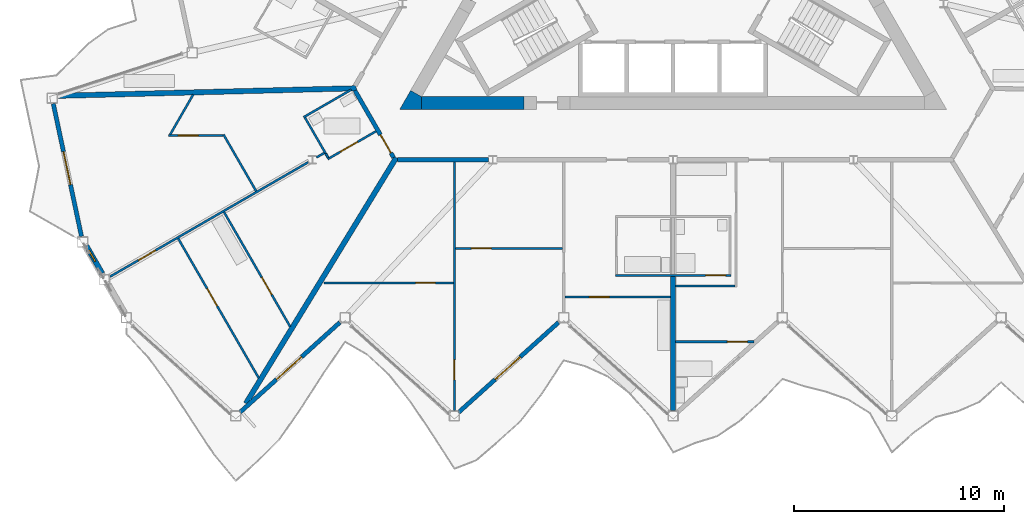
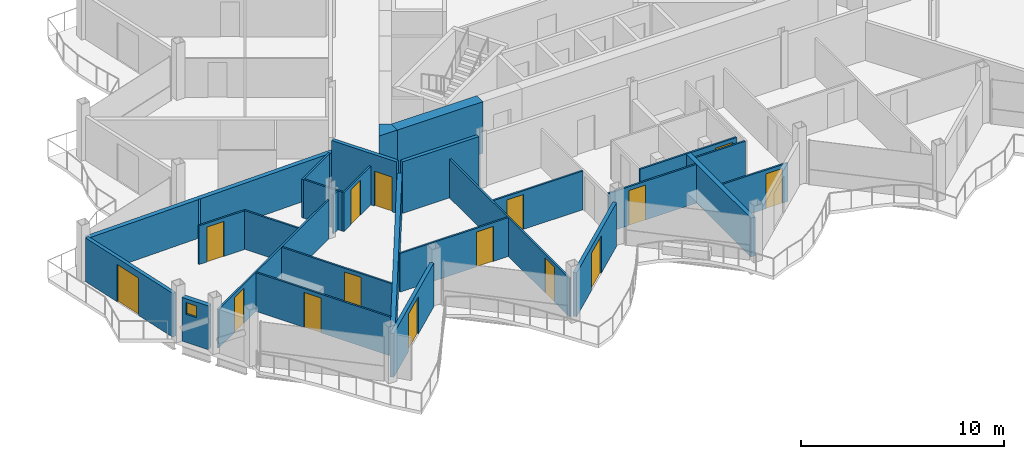
# One storey, part 12 of 26: 29 walls, 15 doors, 1 window, 16 openings.
"""IFC4 building model written with IfcOpenShell, lengths in metres."""

from ifc_helpers import new_model, si_unit, direction, frame, frame_2d, origin, place, context, subcontext, project, spatial, polyline, rectangle, outline, extrude, material, layer, layer_set, type_object, element, fill, save


model = new_model("IFC4")

# Units and contexts
model_context = context("Model", 3, precision=1e-05, world=origin(), true_north=direction((0.0, 1.0)))
body_context = subcontext(model_context, "Body", "Model", "MODEL_VIEW")
ifc_project = project(units=[si_unit("LENGTHUNIT", "METRE"), si_unit("AREAUNIT", "SQUARE_METRE"), si_unit("VOLUMEUNIT", "CUBIC_METRE"), si_unit("PLANEANGLEUNIT", "RADIAN"), si_unit("MASSUNIT", "GRAM", prefix="KILO")], contexts=[model_context])

# Site, building, storey
site_placement = place(None, origin())
site = spatial("IfcSite", under=ifc_project, at=site_placement, CompositionType="ELEMENT")
building_placement = place(site_placement, origin())
building = spatial("IfcBuilding", under=site, at=building_placement, Name="Cormorant Prow Tower", CompositionType="ELEMENT")
storey_placement = place(building_placement, frame((0.0, 0.0, 398.39990234375)))
storey = spatial("IfcBuildingStorey", under=building, at=storey_placement, Name="L91", CompositionType="ELEMENT", Elevation=398.39990234375)

# Walls
ifc_material_1 = material(Name="Concrete 8000 psi", Category="concrete")
ifc_layer_1 = layer(ifc_material_1, 0.60009765625)
ifc_layer_set_1 = layer_set([ifc_layer_1], Name="Concrete 8000 psi")
wall_type_1 = type_object("IfcWallType", Name="Core shear wall 600", PredefinedType="SHEAR", material=ifc_layer_set_1)
wall_1_placement = place(storey_placement, frame((-11.960693359375, -7.20556640625, 0.0), z_axis=(0.0, 0.0, 1.0), x_axis=(1.0, 0.0, 0.0)))
element("IfcWall", 1, at=wall_1_placement, inside=storey, type_object=wall_type_1, Name="Core wall", PredefinedType="SHEAR", context=body_context, shape_type="SweptSolid", body=[
    extrude(rectangle(XDim=4.868408203125, YDim=0.60009765625, at=frame_2d((2.43408203125, 0.0))), origin(), (0.0, 0.0, 1.0), 3.10009765625),
])
wall_2_placement = place(storey_placement, origin())
element("IfcWall", 2, at=wall_2_placement, inside=storey, type_object=wall_type_1, Name="Core wall corner", PredefinedType="SHEAR", context=body_context, shape_type="SweptSolid", body=[
    extrude(outline(polyline([(-12.48046875, -6.605712890625), (-11.960693359375, -6.905517578125), (-11.960693359375, -7.505615234375), (-13.0, -7.505615234375), (-12.48046875, -6.605712890625)])), origin(), (0.0, 0.0, 1.0), 3.10009765625),
])
ifc_material_2 = material(Name="Gypsum board corridor wall")
ifc_layer_2 = layer(ifc_material_2, 0.199951171875)
ifc_layer_set_2 = layer_set([ifc_layer_2], Name="Gypsum board corridor wall")
wall_type_2 = type_object("IfcWallType", Name="Corridor wall 200", PredefinedType="PARTITIONING", material=ifc_layer_set_2)
wall_3_placement = place(storey_placement, frame((-13.10595703125, -9.905517578125, 0.0), z_axis=(0.0, 0.0, 1.0), x_axis=(1.0, 0.0, 0.0)))
element("IfcWall", 3, at=wall_3_placement, inside=storey, type_object=wall_type_2, Name="Corridor wall", PredefinedType="PARTITIONING", context=body_context, shape_type="SweptSolid", body=[
    extrude(rectangle(XDim=4.33056640625, YDim=0.199951171875, at=frame_2d((2.165283203125, 0.0))), origin(), (0.0, 0.0, 1.0), 3.10009765625),
])

# Wall, opening, door
wall_4_placement = place(storey_placement, frame((-15.13134765625, -6.61376953125, 0.0), z_axis=(0.0, 0.0, 1.0), x_axis=(0.499967746641, -0.866044024469, 0.0)))
wall_4 = element("IfcWall", 4, at=wall_4_placement, inside=storey, type_object=wall_type_2, Name="Corridor wall", PredefinedType="PARTITIONING", context=body_context, shape_type="SweptSolid", body=[
    extrude(rectangle(XDim=3.676025390625, YDim=0.199951171875, at=frame_2d((1.837890625, 0.0))), origin(), (0.0, 0.0, 1.0), 3.10009765625),
])
opening_1_placement = place(wall_4_placement, frame((2.426025390625, 0.0, 0.0)))
opening_1 = element("IfcOpeningElement", 5, at=opening_1_placement, cuts=wall_4, Name="Opening L91-F54", PredefinedType="OPENING", context=body_context, shape_type="SweptSolid", body=[
    extrude(rectangle(XDim=1.0, YDim=2.10009765625, at=frame_2d((0.5, 1.050048828125))), frame((0.0, 0.10986328125, 0.0), z_axis=(0.0, -1.0, 0.0), x_axis=(1.0, 0.0, 0.0)), (0.0, 0.0, 1.0), 0.219970703125),
])
ifc_material_3 = material(Name="Timber door leaf", Category="wood")
door_type_1 = type_object("IfcDoorType", Name="Flat or room entrance door 1000x2100", OperationType="NOTDEFINED", PredefinedType="DOOR", material=ifc_material_3)
door_1_placement = place(opening_1_placement, origin())
door_1 = element("IfcDoor", 6, at=door_1_placement, inside=storey, type_object=door_type_1, Name="Living room door", OperationType="SINGLE_SWING_RIGHT", OverallHeight=2.10009765625, OverallWidth=1.0, PredefinedType="DOOR", context=body_context, shape_type="SweptSolid", body=[
    extrude(rectangle(XDim=1.0, YDim=2.10009765625, at=frame_2d((0.5, 1.050048828125))), frame((0.0, 0.02490234375, 0.0), z_axis=(0.0, -1.0, 0.0), x_axis=(1.0, 0.0, 0.0)), (0.0, 0.0, 1.0), 0.050048828125),
])
fill(opening_1, door_1)

ifc_material_4 = material(Name="Gypsum board partition")
ifc_layer_3 = layer(ifc_material_4, 0.10009765625)
ifc_layer_set_3 = layer_set([ifc_layer_3], Name="Gypsum board partition")
wall_type_3 = type_object("IfcWallType", Name="Internal partition 100", PredefinedType="PARTITIONING", material=ifc_layer_set_3)
wall_5_placement = place(storey_placement, frame((-10.39990234375, -21.827880859375, 0.0), z_axis=(0.0, 0.0, 1.0), x_axis=(0.0, 1.0, 0.0)))
wall_5 = element("IfcWall", 7, at=wall_5_placement, inside=storey, type_object=wall_type_3, Name="Internal partition", PredefinedType="PARTITIONING", context=body_context, shape_type="SweptSolid", body=[
    extrude(rectangle(XDim=11.822265625, YDim=0.10009765625, at=frame_2d((5.9111328125, 0.0))), origin(), (0.0, 0.0, 1.0), 2.330078125),
])
opening_2_placement = place(wall_5_placement, frame((1.45849609375, 0.0, 0.0)))
opening_2 = element("IfcOpeningElement", 8, at=opening_2_placement, cuts=wall_5, Name="Opening L91-F06", PredefinedType="OPENING", context=body_context, shape_type="SweptSolid", body=[
    extrude(rectangle(XDim=0.949951171875, YDim=2.10009765625, at=frame_2d((0.47509765625, 1.050048828125))), frame((0.0, 0.06005859375, 0.0), z_axis=(0.0, -1.0, 0.0), x_axis=(1.0, 0.0, 0.0)), (0.0, 0.0, 1.0), 0.1201171875),
])
ifc_material_5 = material(Name="Timber door leaf", Category="wood")
door_type_2 = type_object("IfcDoorType", Name="Bathroom door 950x2100", OperationType="NOTDEFINED", PredefinedType="DOOR", material=ifc_material_5)
door_2_placement = place(opening_2_placement, origin())
door_2 = element("IfcDoor", 9, at=door_2_placement, inside=storey, type_object=door_type_2, Name="Bedroom door", OperationType="SINGLE_SWING_RIGHT", OverallHeight=2.10009765625, OverallWidth=0.949951171875, PredefinedType="DOOR", context=body_context, shape_type="SweptSolid", body=[
    extrude(rectangle(XDim=0.949951171875, YDim=2.10009765625, at=frame_2d((0.47509765625, 1.050048828125))), frame((0.0, 0.02490234375, 0.0), z_axis=(0.0, -1.0, 0.0), x_axis=(1.0, 0.0, 0.0)), (0.0, 0.0, 1.0), 0.050048828125),
])
fill(opening_2, door_2)

wall_6_placement = place(storey_placement, frame((-26.77685546875, -15.459716796875, 0.0), z_axis=(0.0, 0.0, 1.0), x_axis=(0.866019680922, 0.500009912158, 0.0)))
wall_6 = element("IfcWall", 10, at=wall_6_placement, inside=storey, type_object=wall_type_3, Name="Internal partition", PredefinedType="PARTITIONING", context=body_context, shape_type="SweptSolid", body=[
    extrude(rectangle(XDim=10.880615234375, YDim=0.10009765625, at=frame_2d((5.4404296875, 0.0))), origin(), (0.0, 0.0, 1.0), 2.330078125),
])
opening_3_placement = place(wall_6_placement, frame((1.55419921875, 0.0, 0.0)))
opening_3 = element("IfcOpeningElement", 11, at=opening_3_placement, cuts=wall_6, Name="Opening L91-F58", PredefinedType="OPENING", context=body_context, shape_type="SweptSolid", body=[
    extrude(rectangle(XDim=0.949951171875, YDim=2.10009765625, at=frame_2d((0.47509765625, 1.050048828125))), frame((0.0, 0.06005859375, 0.0), z_axis=(0.0, -1.0, 0.0), x_axis=(1.0, 0.0, 0.0)), (0.0, 0.0, 1.0), 0.1201171875),
])
door_3_placement = place(opening_3_placement, origin())
door_3 = element("IfcDoor", 12, at=door_3_placement, inside=storey, type_object=door_type_2, Name="Dining room door", OperationType="SINGLE_SWING_RIGHT", OverallHeight=2.10009765625, OverallWidth=0.949951171875, PredefinedType="DOOR", context=body_context, shape_type="SweptSolid", body=[
    extrude(rectangle(XDim=0.949951171875, YDim=2.10009765625, at=frame_2d((0.47509765625, 1.050048828125))), frame((0.0, 0.02490234375, 0.0), z_axis=(0.0, -1.0, 0.0), x_axis=(1.0, 0.0, 0.0)), (0.0, 0.0, 1.0), 0.050048828125),
])
fill(opening_3, door_3)

wall_7_placement = place(storey_placement, frame((-23.5380859375, -13.6474609375, 0.0), z_axis=(0.0, 0.0, 1.0), x_axis=(0.499977115003, -0.86603861604, 0.0)))
wall_7 = element("IfcWall", 13, at=wall_7_placement, inside=storey, type_object=wall_type_3, Name="Internal partition", PredefinedType="PARTITIONING", context=body_context, shape_type="SweptSolid", body=[
    extrude(rectangle(XDim=7.662353515625, YDim=0.10009765625, at=frame_2d((3.8310546875, 0.0))), origin(), (0.0, 0.0, 1.0), 2.330078125),
])
opening_4_placement = place(wall_7_placement, frame((2.755126953125, 0.0, 0.0)))
opening_4 = element("IfcOpeningElement", 14, at=opening_4_placement, cuts=wall_7, Name="Opening L91-F57", PredefinedType="OPENING", context=body_context, shape_type="SweptSolid", body=[
    extrude(rectangle(XDim=0.949951171875, YDim=2.10009765625, at=frame_2d((0.47509765625, 1.050048828125))), frame((0.0, 0.06005859375, 0.0), z_axis=(0.0, -1.0, 0.0), x_axis=(1.0, 0.0, 0.0)), (0.0, 0.0, 1.0), 0.1201171875),
])
door_4_placement = place(opening_4_placement, origin())
door_4 = element("IfcDoor", 15, at=door_4_placement, inside=storey, type_object=door_type_2, Name="Kitchen door", OperationType="SINGLE_SWING_LEFT", OverallHeight=2.10009765625, OverallWidth=0.949951171875, PredefinedType="DOOR", context=body_context, shape_type="SweptSolid", body=[
    extrude(rectangle(XDim=0.949951171875, YDim=2.10009765625, at=frame_2d((0.47509765625, 1.050048828125))), frame((0.0, 0.02490234375, 0.0), z_axis=(0.0, -1.0, 0.0), x_axis=(1.0, 0.0, 0.0)), (0.0, 0.0, 1.0), 0.050048828125),
])
fill(opening_4, door_4)

wall_8_placement = place(storey_placement, frame((-21.35888671875, -12.389404296875, 0.0), z_axis=(0.0, 0.0, 1.0), x_axis=(0.500006767202, -0.866021496703, 0.0)))
wall_8 = element("IfcWall", 16, at=wall_8_placement, inside=storey, type_object=wall_type_3, Name="Internal partition", PredefinedType="PARTITIONING", context=body_context, shape_type="SweptSolid", body=[
    extrude(rectangle(XDim=6.29345703125, YDim=0.10009765625, at=frame_2d((3.146728515625, 0.0))), origin(), (0.0, 0.0, 1.0), 2.330078125),
])
opening_5_placement = place(wall_8_placement, frame((3.579833984375, 0.0, 0.0)))
opening_5 = element("IfcOpeningElement", 17, at=opening_5_placement, cuts=wall_8, Name="Opening L91-F56", PredefinedType="OPENING", context=body_context, shape_type="SweptSolid", body=[
    extrude(rectangle(XDim=0.949951171875, YDim=2.10009765625, at=frame_2d((0.47509765625, 1.050048828125))), frame((0.0, 0.06005859375, 0.0), z_axis=(0.0, -1.0, 0.0), x_axis=(1.0, 0.0, 0.0)), (0.0, 0.0, 1.0), 0.1201171875),
])
door_5_placement = place(opening_5_placement, origin())
door_5 = element("IfcDoor", 18, at=door_5_placement, inside=storey, type_object=door_type_2, Name="Living room door", OperationType="SINGLE_SWING_LEFT", OverallHeight=2.10009765625, OverallWidth=0.949951171875, PredefinedType="DOOR", context=body_context, shape_type="SweptSolid", body=[
    extrude(rectangle(XDim=0.949951171875, YDim=2.10009765625, at=frame_2d((0.47509765625, 1.050048828125))), frame((0.0, 0.02490234375, 0.0), z_axis=(0.0, -1.0, 0.0), x_axis=(1.0, 0.0, 0.0)), (0.0, 0.0, 1.0), 0.050048828125),
])
fill(opening_5, door_5)

wall_9_placement = place(storey_placement, frame((-16.60791015625, -15.7548828125, 0.0), z_axis=(0.0, 0.0, 1.0), x_axis=(1.0, 0.0, 0.0)))
wall_9 = element("IfcWall", 19, at=wall_9_placement, inside=storey, type_object=wall_type_3, Name="Internal partition", PredefinedType="PARTITIONING", context=body_context, shape_type="SweptSolid", body=[
    extrude(rectangle(XDim=6.157958984375, YDim=0.10009765625, at=frame_2d((3.0791015625, 0.0))), origin(), (0.0, 0.0, 1.0), 2.330078125),
])
opening_6_placement = place(wall_9_placement, frame((4.35693359375, 0.0, 0.0)))
opening_6 = element("IfcOpeningElement", 20, at=opening_6_placement, cuts=wall_9, Name="Opening L91-F07", PredefinedType="OPENING", context=body_context, shape_type="SweptSolid", body=[
    extrude(rectangle(XDim=0.949951171875, YDim=2.10009765625, at=frame_2d((0.47509765625, 1.050048828125))), frame((0.0, 0.06005859375, 0.0), z_axis=(0.0, -1.0, 0.0), x_axis=(1.0, 0.0, 0.0)), (0.0, 0.0, 1.0), 0.1201171875),
])
door_6_placement = place(opening_6_placement, origin())
door_6 = element("IfcDoor", 21, at=door_6_placement, inside=storey, type_object=door_type_2, Name="Bedroom door", OperationType="SINGLE_SWING_RIGHT", OverallHeight=2.10009765625, OverallWidth=0.949951171875, PredefinedType="DOOR", context=body_context, shape_type="SweptSolid", body=[
    extrude(rectangle(XDim=0.949951171875, YDim=2.10009765625, at=frame_2d((0.47509765625, 1.050048828125))), frame((0.0, 0.02490234375, 0.0), z_axis=(0.0, -1.0, 0.0), x_axis=(1.0, 0.0, 0.0)), (0.0, 0.0, 1.0), 0.050048828125),
])
fill(opening_6, door_6)

wall_10_placement = place(storey_placement, frame((-2.75, -15.405517578125, 0.0), z_axis=(0.0, 0.0, 1.0), x_axis=(1.0, 0.0, 0.0)))
wall_10 = element("IfcWall", 22, at=wall_10_placement, inside=storey, type_object=wall_type_3, Name="Internal partition", PredefinedType="PARTITIONING", context=body_context, shape_type="SweptSolid", body=[
    extrude(rectangle(XDim=5.5, YDim=0.10009765625, at=frame_2d((2.75, 0.0))), origin(), (0.0, 0.0, 1.0), 2.330078125),
])
opening_7_placement = place(wall_10_placement, frame((4.300048828125, 0.0, 0.0)))
opening_7 = element("IfcOpeningElement", 23, at=opening_7_placement, cuts=wall_10, Name="Opening L91-F15", PredefinedType="OPENING", context=body_context, shape_type="SweptSolid", body=[
    extrude(rectangle(XDim=0.949951171875, YDim=2.10009765625, at=frame_2d((0.47509765625, 1.050048828125))), frame((0.0, 0.06005859375, 0.0), z_axis=(0.0, -1.0, 0.0), x_axis=(1.0, 0.0, 0.0)), (0.0, 0.0, 1.0), 0.1201171875),
])
door_7_placement = place(opening_7_placement, origin())
door_7 = element("IfcDoor", 24, at=door_7_placement, inside=storey, type_object=door_type_2, Name="Kitchen door", OperationType="SINGLE_SWING_RIGHT", OverallHeight=2.10009765625, OverallWidth=0.949951171875, PredefinedType="DOOR", context=body_context, shape_type="SweptSolid", body=[
    extrude(rectangle(XDim=0.949951171875, YDim=2.10009765625, at=frame_2d((0.47509765625, 1.050048828125))), frame((0.0, 0.02490234375, 0.0), z_axis=(0.0, -1.0, 0.0), x_axis=(1.0, 0.0, 0.0)), (0.0, 0.0, 1.0), 0.050048828125),
])
fill(opening_7, door_7)

wall_11_placement = place(storey_placement, frame((-5.14990234375, -16.428466796875, 0.0), z_axis=(0.0, 0.0, 1.0), x_axis=(1.0, 0.0, 0.0)))
wall_11 = element("IfcWall", 25, at=wall_11_placement, inside=storey, type_object=wall_type_3, Name="Internal partition", PredefinedType="PARTITIONING", context=body_context, shape_type="SweptSolid", body=[
    extrude(rectangle(XDim=5.02490234375, YDim=0.10009765625, at=frame_2d((2.512451171875, 0.0))), origin(), (0.0, 0.0, 1.0), 2.330078125),
])
opening_8_placement = place(wall_11_placement, frame((1.169189453125, 0.0, 0.0)))
opening_8 = element("IfcOpeningElement", 26, at=opening_8_placement, cuts=wall_11, Name="Opening L91-F03", PredefinedType="OPENING", context=body_context, shape_type="SweptSolid", body=[
    extrude(rectangle(XDim=0.949951171875, YDim=2.10009765625, at=frame_2d((0.47509765625, 1.050048828125))), frame((0.0, 0.06005859375, 0.0), z_axis=(0.0, -1.0, 0.0), x_axis=(1.0, 0.0, 0.0)), (0.0, 0.0, 1.0), 0.1201171875),
])
door_8_placement = place(opening_8_placement, origin())
door_8 = element("IfcDoor", 27, at=door_8_placement, inside=storey, type_object=door_type_2, Name="Living room door", OperationType="SINGLE_SWING_RIGHT", OverallHeight=2.10009765625, OverallWidth=0.949951171875, PredefinedType="DOOR", context=body_context, shape_type="SweptSolid", body=[
    extrude(rectangle(XDim=0.949951171875, YDim=2.10009765625, at=frame_2d((0.47509765625, 1.050048828125))), frame((0.0, 0.02490234375, 0.0), z_axis=(0.0, -1.0, 0.0), x_axis=(1.0, 0.0, 0.0)), (0.0, 0.0, 1.0), 0.050048828125),
])
fill(opening_8, door_8)

wall_12_placement = place(storey_placement, frame((-10.35009765625, -14.12060546875, 0.0), z_axis=(0.0, 0.0, 1.0), x_axis=(1.0, 0.0, 0.0)))
wall_12 = element("IfcWall", 28, at=wall_12_placement, inside=storey, type_object=wall_type_3, Name="Internal partition", PredefinedType="PARTITIONING", context=body_context, shape_type="SweptSolid", body=[
    extrude(rectangle(XDim=5.10009765625, YDim=0.10009765625, at=frame_2d((2.550048828125, 0.0))), origin(), (0.0, 0.0, 1.0), 2.330078125),
])
opening_9_placement = place(wall_12_placement, frame((0.7568359375, 0.0, 0.0)))
opening_9 = element("IfcOpeningElement", 29, at=opening_9_placement, cuts=wall_12, Name="Opening L91-F05", PredefinedType="OPENING", context=body_context, shape_type="SweptSolid", body=[
    extrude(rectangle(XDim=0.949951171875, YDim=2.10009765625, at=frame_2d((0.47509765625, 1.050048828125))), frame((0.0, 0.06005859375, 0.0), z_axis=(0.0, -1.0, 0.0), x_axis=(1.0, 0.0, 0.0)), (0.0, 0.0, 1.0), 0.1201171875),
])
door_9_placement = place(opening_9_placement, origin())
door_9 = element("IfcDoor", 30, at=door_9_placement, inside=storey, type_object=door_type_2, Name="Bedroom door", OperationType="SINGLE_SWING_LEFT", OverallHeight=2.10009765625, OverallWidth=0.949951171875, PredefinedType="DOOR", context=body_context, shape_type="SweptSolid", body=[
    extrude(rectangle(XDim=0.949951171875, YDim=2.10009765625, at=frame_2d((0.47509765625, 1.050048828125))), frame((0.0, 0.02490234375, 0.0), z_axis=(0.0, -1.0, 0.0), x_axis=(1.0, 0.0, 0.0)), (0.0, 0.0, 1.0), 0.050048828125),
])
fill(opening_9, door_9)

wall_13_placement = place(storey_placement, frame((0.125, -18.555908203125, 0.0), z_axis=(0.0, 0.0, 1.0), x_axis=(1.0, 0.0, 0.0)))
wall_13 = element("IfcWall", 31, at=wall_13_placement, inside=storey, type_object=wall_type_3, Name="Internal partition", PredefinedType="PARTITIONING", context=body_context, shape_type="SweptSolid", body=[
    extrude(rectangle(XDim=3.7265625, YDim=0.10009765625, at=frame_2d((1.86328125, 0.0))), origin(), (0.0, 0.0, 1.0), 2.330078125),
])
opening_10_placement = place(wall_13_placement, frame((2.455810546875, 0.0, 0.0)))
opening_10 = element("IfcOpeningElement", 32, at=opening_10_placement, cuts=wall_13, Name="Opening L91-F09", PredefinedType="OPENING", context=body_context, shape_type="SweptSolid", body=[
    extrude(rectangle(XDim=0.949951171875, YDim=2.10009765625, at=frame_2d((0.47509765625, 1.050048828125))), frame((0.0, 0.06005859375, 0.0), z_axis=(0.0, -1.0, 0.0), x_axis=(1.0, 0.0, 0.0)), (0.0, 0.0, 1.0), 0.1201171875),
])
door_10_placement = place(opening_10_placement, origin())
door_10 = element("IfcDoor", 33, at=door_10_placement, inside=storey, type_object=door_type_2, Name="Living room door", OperationType="SINGLE_SWING_RIGHT", OverallHeight=2.10009765625, OverallWidth=0.949951171875, PredefinedType="DOOR", context=body_context, shape_type="SweptSolid", body=[
    extrude(rectangle(XDim=0.949951171875, YDim=2.10009765625, at=frame_2d((0.47509765625, 1.050048828125))), frame((0.0, 0.02490234375, 0.0), z_axis=(0.0, -1.0, 0.0), x_axis=(1.0, 0.0, 0.0)), (0.0, 0.0, 1.0), 0.050048828125),
])
fill(opening_10, door_10)

# Walls
wall_14_placement = place(storey_placement, frame((-21.382080078125, -8.704833984375, 0.0), z_axis=(0.0, 0.0, 1.0), x_axis=(0.50001536203, -0.866016534331, 0.0)))
element("IfcWall", 34, at=wall_14_placement, inside=storey, type_object=wall_type_3, Name="Internal partition", PredefinedType="PARTITIONING", context=body_context, shape_type="SweptSolid", body=[
    extrude(rectangle(XDim=3.1025390625, YDim=0.10009765625, at=frame_2d((1.55126953125, 0.0))), origin(), (0.0, 0.0, 1.0), 2.330078125),
])
wall_15_placement = place(storey_placement, frame((0.125, -15.905517578125, 0.0), z_axis=(0.0, 0.0, 1.0), x_axis=(1.0, 0.0, 0.0)))
element("IfcWall", 35, at=wall_15_placement, inside=storey, type_object=wall_type_3, Name="Internal partition", PredefinedType="PARTITIONING", context=body_context, shape_type="SweptSolid", body=[
    extrude(rectangle(XDim=2.824951171875, YDim=0.10009765625, at=frame_2d((1.41259765625, 0.0))), origin(), (0.0, 0.0, 1.0), 2.330078125),
])
wall_16_placement = place(storey_placement, frame((-17.575439453125, -7.880615234375, 0.0), z_axis=(0.0, 0.0, 1.0), x_axis=(0.866013657776, 0.500020344131, 0.0)))
element("IfcWall", 36, at=wall_16_placement, inside=storey, type_object=wall_type_3, Name="Internal partition", PredefinedType="PARTITIONING", context=body_context, shape_type="SweptSolid", body=[
    extrude(rectangle(XDim=2.625, YDim=0.10009765625, at=frame_2d((1.3125, 0.0))), origin(), (0.0, 0.0, 1.0), 2.330078125),
])

# Wall, opening, door
wall_17_placement = place(storey_placement, frame((-16.4248046875, -9.8720703125, 0.0), z_axis=(0.0, 0.0, 1.0), x_axis=(0.865999882481, 0.50004420159, 0.0)))
wall_17 = element("IfcWall", 37, at=wall_17_placement, inside=storey, type_object=wall_type_3, Name="Internal partition", PredefinedType="PARTITIONING", context=body_context, shape_type="SweptSolid", body=[
    extrude(rectangle(XDim=2.649169921875, YDim=0.10009765625, at=frame_2d((1.32470703125, 0.0))), origin(), (0.0, 0.0, 1.0), 2.330078125),
])
opening_11_placement = place(wall_17_placement, frame((0.68603515625, 0.0, 0.0)))
opening_11 = element("IfcOpeningElement", 38, at=opening_11_placement, cuts=wall_17, Name="Opening L91-F55", PredefinedType="OPENING", context=body_context, shape_type="SweptSolid", body=[
    extrude(rectangle(XDim=0.949951171875, YDim=2.10009765625, at=frame_2d((0.47509765625, 1.050048828125))), frame((0.0, 0.06005859375, 0.0), z_axis=(0.0, -1.0, 0.0), x_axis=(1.0, 0.0, 0.0)), (0.0, 0.0, 1.0), 0.1201171875),
])
door_11_placement = place(opening_11_placement, origin())
door_11 = element("IfcDoor", 39, at=door_11_placement, inside=storey, type_object=door_type_2, Name="Living room door", OperationType="SINGLE_SWING_LEFT", OverallHeight=2.10009765625, OverallWidth=0.949951171875, PredefinedType="DOOR", context=body_context, shape_type="SweptSolid", body=[
    extrude(rectangle(XDim=0.949951171875, YDim=2.10009765625, at=frame_2d((0.47509765625, 1.050048828125))), frame((0.0, 0.02490234375, 0.0), z_axis=(0.0, -1.0, 0.0), x_axis=(1.0, 0.0, 0.0)), (0.0, 0.0, 1.0), 0.050048828125),
])
fill(opening_11, door_11)

wall_18_placement = place(storey_placement, frame((-23.99658203125, -8.748046875, 0.0), z_axis=(0.0, 0.0, 1.0), x_axis=(1.0, 0.0, 0.0)))
wall_18 = element("IfcWall", 40, at=wall_18_placement, inside=storey, type_object=wall_type_3, Name="Internal partition", PredefinedType="PARTITIONING", context=body_context, shape_type="SweptSolid", body=[
    extrude(rectangle(XDim=2.589599609375, YDim=0.10009765625, at=frame_2d((1.294921875, 0.0))), origin(), (0.0, 0.0, 1.0), 2.330078125),
])
opening_12_placement = place(wall_18_placement, frame((0.457275390625, 0.0, 0.0)))
opening_12 = element("IfcOpeningElement", 41, at=opening_12_placement, cuts=wall_18, Name="Opening L91-F59", PredefinedType="OPENING", context=body_context, shape_type="SweptSolid", body=[
    extrude(rectangle(XDim=0.949951171875, YDim=2.10009765625, at=frame_2d((0.47509765625, 1.050048828125))), frame((0.0, 0.06005859375, 0.0), z_axis=(0.0, -1.0, 0.0), x_axis=(1.0, 0.0, 0.0)), (0.0, 0.0, 1.0), 0.1201171875),
])
door_12_placement = place(opening_12_placement, origin())
door_12 = element("IfcDoor", 42, at=door_12_placement, inside=storey, type_object=door_type_2, Name="Principal bedroom door", OperationType="SINGLE_SWING_LEFT", OverallHeight=2.10009765625, OverallWidth=0.949951171875, PredefinedType="DOOR", context=body_context, shape_type="SweptSolid", body=[
    extrude(rectangle(XDim=0.949951171875, YDim=2.10009765625, at=frame_2d((0.47509765625, 1.050048828125))), frame((0.0, 0.02490234375, 0.0), z_axis=(0.0, -1.0, 0.0), x_axis=(1.0, 0.0, 0.0)), (0.0, 0.0, 1.0), 0.050048828125),
])
fill(opening_12, door_12)

# Walls
wall_19_placement = place(storey_placement, frame((-23.921630859375, -8.704833984375, 0.0), z_axis=(0.0, 0.0, 1.0), x_axis=(0.50001794124, 0.866015045157, 0.0)))
element("IfcWall", 43, at=wall_19_placement, inside=storey, type_object=wall_type_3, Name="Internal partition", PredefinedType="PARTITIONING", context=body_context, shape_type="SweptSolid", body=[
    extrude(rectangle(XDim=2.193359375, YDim=0.10009765625, at=frame_2d((1.0966796875, 0.0))), origin(), (0.0, 0.0, 1.0), 2.330078125),
])
wall_20_placement = place(storey_placement, frame((-17.507080078125, -7.89892578125, 0.0), z_axis=(0.0, 0.0, 1.0), x_axis=(0.499972416139, -0.866041328748, 0.0)))
element("IfcWall", 44, at=wall_20_placement, inside=storey, type_object=wall_type_3, Name="Internal partition", PredefinedType="PARTITIONING", context=body_context, shape_type="SweptSolid", body=[
    extrude(rectangle(XDim=1.97265625, YDim=0.10009765625, at=frame_2d((0.986328125, 0.0))), origin(), (0.0, 0.0, 1.0), 2.330078125),
])
wall_21_placement = place(storey_placement, frame((-16.9599609375, -9.791748046875, 0.0), z_axis=(0.0, 0.0, 1.0), x_axis=(0.866137484628, 0.499805820016, 0.0)))
element("IfcWall", 45, at=wall_21_placement, inside=storey, type_object=wall_type_3, Name="Internal partition", PredefinedType="PARTITIONING", context=body_context, shape_type="SweptSolid", body=[
    extrude(rectangle(XDim=0.422607421875, YDim=0.10009765625, at=frame_2d((0.21142578125, 0.0))), origin(), (0.0, 0.0, 1.0), 2.330078125),
])
wall_22_placement = place(storey_placement, frame((-16.519287109375, -9.609619140625, 0.0), z_axis=(0.0, 0.0, 1.0), x_axis=(0.50245032488, -0.864606078528, 0.0)))
element("IfcWall", 46, at=wall_22_placement, inside=storey, type_object=wall_type_3, Name="Internal partition", PredefinedType="PARTITIONING", context=body_context, shape_type="SweptSolid", body=[
    extrude(rectangle(XDim=0.224365234375, YDim=0.10009765625, at=frame_2d((0.1123046875, 0.0))), origin(), (0.0, 0.0, 1.0), 2.330078125),
])
ifc_material_6 = material(Name="Acoustic gypsum party wall")
ifc_layer_4 = layer(ifc_material_6, 0.25)
ifc_layer_set_4 = layer_set([ifc_layer_4], Name="Acoustic gypsum party wall")
wall_type_4 = type_object("IfcWallType", Name="Suite party wall 250", PredefinedType="PARTITIONING", material=ifc_layer_set_4)
wall_23_placement = place(storey_placement, frame((-29.2685546875, -6.862060546875, 0.0), z_axis=(0.0, 0.0, 1.0), x_axis=(0.999679020594, 0.025334872878, 0.0)))
element("IfcWall", 47, at=wall_23_placement, inside=storey, type_object=wall_type_4, Name="Suite party wall", PredefinedType="PARTITIONING", context=body_context, shape_type="SweptSolid", body=[
    extrude(rectangle(XDim=14.204345703125, YDim=0.25, at=frame_2d((7.10205078125, 0.0))), origin(), (0.0, 0.0, 1.0), 2.330078125),
])
wall_24_placement = place(storey_placement, frame((-20.318115234375, -21.4931640625, 0.0), z_axis=(0.0, 0.0, 1.0), x_axis=(0.52177126778, 0.853085426039, 0.0)))
element("IfcWall", 48, at=wall_24_placement, inside=storey, type_object=wall_type_4, Name="Suite party wall", PredefinedType="PARTITIONING", context=body_context, shape_type="SweptSolid", body=[
    extrude(rectangle(XDim=13.708251953125, YDim=0.25, at=frame_2d((6.85400390625, 0.0))), origin(), (0.0, 0.0, 1.0), 2.330078125),
])
wall_25_placement = place(storey_placement, frame((0.0, -21.827880859375, 0.0), z_axis=(0.0, 0.0, 1.0), x_axis=(0.0, 1.0, 0.0)))
element("IfcWall", 49, at=wall_25_placement, inside=storey, type_object=wall_type_4, Name="Suite party wall", PredefinedType="PARTITIONING", context=body_context, shape_type="SweptSolid", body=[
    extrude(rectangle(XDim=6.372314453125, YDim=0.25, at=frame_2d((3.18603515625, 0.0))), origin(), (0.0, 0.0, 1.0), 2.330078125),
])

# Wall, opening, window
ifc_material_7 = material(Name="Terracotta", Category="masonry")
ifc_layer_5 = layer(ifc_material_7, 0.25)
ifc_layer_set_5 = layer_set([ifc_layer_5], Name="Terracotta")
wall_type_5 = type_object("IfcWallType", Name="Terracotta bay wall 250", PredefinedType="SOLIDWALL", material=ifc_layer_set_5)
wall_26_placement = place(storey_placement, frame((-27.906494140625, -13.99658203125, 0.0), z_axis=(0.0, 0.0, 1.0), x_axis=(0.499931517724, -0.866064938435, 0.0)))
wall_26 = element("IfcWall", 50, at=wall_26_placement, inside=storey, type_object=wall_type_5, Name="Terracotta bay wall WSW00", PredefinedType="SOLIDWALL", context=body_context, shape_type="SweptSolid", body=[
    extrude(rectangle(XDim=1.516357421875, YDim=0.25, at=frame_2d((0.75830078125, 0.0))), origin(), (0.0, 0.0, 1.0), 2.634033203125),
])
opening_13_placement = place(wall_26_placement, frame((0.25, 0.0, 1.699951171875)))
opening_13 = element("IfcOpeningElement", 51, at=opening_13_placement, cuts=wall_26, Name="Opening WN11", PredefinedType="OPENING", context=body_context, shape_type="SweptSolid", body=[
    extrude(rectangle(XDim=0.60009765625, YDim=0.699951171875, at=frame_2d((0.300048828125, 0.35009765625))), frame((0.0, 0.135009765625, 0.0), z_axis=(0.0, -1.0, 0.0), x_axis=(1.0, 0.0, 0.0)), (0.0, 0.0, 1.0), 0.27001953125),
])
ifc_material_8 = material(Name="Aluminium 6063-T6", Category="aluminium")
window_type = type_object("IfcWindowType", Name="Corner bay window 600x700", PartitioningType="SINGLE_PANEL", PredefinedType="WINDOW", material=ifc_material_8)
window_placement = place(opening_13_placement, origin())
window = element("IfcWindow", 52, at=window_placement, inside=storey, type_object=window_type, Name="Corner bay window WSW00", OverallHeight=0.699951171875, OverallWidth=0.60009765625, PartitioningType="SINGLE_PANEL", PredefinedType="WINDOW", context=body_context, shape_type="SweptSolid", body=[
    extrude(rectangle(XDim=0.60009765625, YDim=0.699951171875, at=frame_2d((0.300048828125, 0.35009765625))), frame((0.0, 0.030029296875, 0.0), z_axis=(0.0, -1.0, 0.0), x_axis=(1.0, 0.0, 0.0)), (0.0, 0.0, 1.0), 0.06005859375),
])
fill(opening_13, window)

# Wall, opening, door
ifc_material_9 = material(Name="Terracotta", Category="masonry")
ifc_layer_6 = layer(ifc_material_9, 0.199951171875)
ifc_layer_set_6 = layer_set([ifc_layer_6], Name="Terracotta")
wall_type_6 = type_object("IfcWallType", Name="Terracotta jamb wall 200", PredefinedType="SOLIDWALL", material=ifc_layer_set_6)
wall_27_placement = place(storey_placement, frame((-20.594970703125, -21.911865234375, 0.0), z_axis=(0.0, 0.0, 1.0), x_axis=(0.743132515916, 0.669144277259, 0.0)))
wall_27 = element("IfcWall", 53, at=wall_27_placement, inside=storey, type_object=wall_type_6, Name="Terracotta jamb wall S01", PredefinedType="SOLIDWALL", context=body_context, shape_type="SweptSolid", body=[
    extrude(rectangle(XDim=6.385009765625, YDim=0.199951171875, at=frame_2d((3.1923828125, 0.0))), origin(), (0.0, 0.0, 1.0), 2.634033203125),
])
opening_14_placement = place(wall_27_placement, frame((2.332763671875, 0.0, 0.0)))
opening_14 = element("IfcOpeningElement", 54, at=opening_14_placement, cuts=wall_27, Name="Opening ED91.01", PredefinedType="OPENING", context=body_context, shape_type="SweptSolid", body=[
    extrude(rectangle(XDim=1.60009765625, YDim=2.25, at=frame_2d((0.800048828125, 1.125))), frame((0.0, 0.10986328125, 0.0), z_axis=(0.0, -1.0, 0.0), x_axis=(1.0, 0.0, 0.0)), (0.0, 0.0, 1.0), 0.219970703125),
])
ifc_material_10 = material(Name="Aluminium 6063-T6", Category="aluminium")
door_type_3 = type_object("IfcDoorType", Name="Balcony door 1600x2250", OperationType="DOUBLE_DOOR_SINGLE_SWING", PredefinedType="DOOR", material=ifc_material_10)
door_13_placement = place(opening_14_placement, origin())
door_13 = element("IfcDoor", 55, at=door_13_placement, inside=storey, type_object=door_type_3, Name="Balcony door S01 ED91.01", OperationType="DOUBLE_DOOR_SINGLE_SWING", OverallHeight=2.25, OverallWidth=1.60009765625, PredefinedType="DOOR", context=body_context, shape_type="SweptSolid", body=[
    extrude(rectangle(XDim=1.60009765625, YDim=2.25, at=frame_2d((0.800048828125, 1.125))), frame((0.0, 0.02490234375, 0.0), z_axis=(0.0, -1.0, 0.0), x_axis=(1.0, 0.0, 0.0)), (0.0, 0.0, 1.0), 0.050048828125),
])
fill(opening_14, door_13)

wall_28_placement = place(storey_placement, frame((-10.19482421875, -21.911865234375, 0.0), z_axis=(0.0, 0.0, 1.0), x_axis=(0.743132515916, 0.669144277259, 0.0)))
wall_28 = element("IfcWall", 56, at=wall_28_placement, inside=storey, type_object=wall_type_6, Name="Terracotta jamb wall S03", PredefinedType="SOLIDWALL", context=body_context, shape_type="SweptSolid", body=[
    extrude(rectangle(XDim=6.385009765625, YDim=0.199951171875, at=frame_2d((3.1923828125, 0.0))), origin(), (0.0, 0.0, 1.0), 2.634033203125),
])
opening_15_placement = place(wall_28_placement, frame((2.332763671875, 0.0, 0.0)))
opening_15 = element("IfcOpeningElement", 57, at=opening_15_placement, cuts=wall_28, Name="Opening ED91.02", PredefinedType="OPENING", context=body_context, shape_type="SweptSolid", body=[
    extrude(rectangle(XDim=1.60009765625, YDim=2.25, at=frame_2d((0.800048828125, 1.125))), frame((0.0, 0.10986328125, 0.0), z_axis=(0.0, -1.0, 0.0), x_axis=(1.0, 0.0, 0.0)), (0.0, 0.0, 1.0), 0.219970703125),
])
door_14_placement = place(opening_15_placement, origin())
door_14 = element("IfcDoor", 58, at=door_14_placement, inside=storey, type_object=door_type_3, Name="Balcony door S03 ED91.02", OperationType="DOUBLE_DOOR_SINGLE_SWING", OverallHeight=2.25, OverallWidth=1.60009765625, PredefinedType="DOOR", context=body_context, shape_type="SweptSolid", body=[
    extrude(rectangle(XDim=1.60009765625, YDim=2.25, at=frame_2d((0.800048828125, 1.125))), frame((0.0, 0.02490234375, 0.0), z_axis=(0.0, -1.0, 0.0), x_axis=(1.0, 0.0, 0.0)), (0.0, 0.0, 1.0), 0.050048828125),
])
fill(opening_15, door_14)

wall_29_placement = place(storey_placement, frame((-29.478759765625, -7.235107421875, 0.0), z_axis=(0.0, 0.0, 1.0), x_axis=(0.207932057694, -0.978143271399, 0.0)))
wall_29 = element("IfcWall", 59, at=wall_29_placement, inside=storey, type_object=wall_type_6, Name="Terracotta jamb wall WNW09", PredefinedType="SOLIDWALL", context=body_context, shape_type="SweptSolid", body=[
    extrude(rectangle(XDim=6.453125, YDim=0.199951171875, at=frame_2d((3.2265625, 0.0))), origin(), (0.0, 0.0, 1.0), 2.634033203125),
])
opening_16_placement = place(wall_29_placement, frame((2.332763671875, 0.0, 0.0)))
opening_16 = element("IfcOpeningElement", 60, at=opening_16_placement, cuts=wall_29, Name="Opening ED91.15", PredefinedType="OPENING", context=body_context, shape_type="SweptSolid", body=[
    extrude(rectangle(XDim=1.60009765625, YDim=2.25, at=frame_2d((0.800048828125, 1.125))), frame((0.0, 0.10986328125, 0.0), z_axis=(0.0, -1.0, 0.0), x_axis=(1.0, 0.0, 0.0)), (0.0, 0.0, 1.0), 0.219970703125),
])
door_15_placement = place(opening_16_placement, origin())
door_15 = element("IfcDoor", 61, at=door_15_placement, inside=storey, type_object=door_type_3, Name="Balcony door WNW09 ED91.15", OperationType="DOUBLE_DOOR_SINGLE_SWING", OverallHeight=2.25, OverallWidth=1.60009765625, PredefinedType="DOOR", context=body_context, shape_type="SweptSolid", body=[
    extrude(rectangle(XDim=1.60009765625, YDim=2.25, at=frame_2d((0.800048828125, 1.125))), frame((0.0, 0.02490234375, 0.0), z_axis=(0.0, -1.0, 0.0), x_axis=(1.0, 0.0, 0.0)), (0.0, 0.0, 1.0), 0.050048828125),
])
fill(opening_16, door_15)

save(model, "model.ifc")
